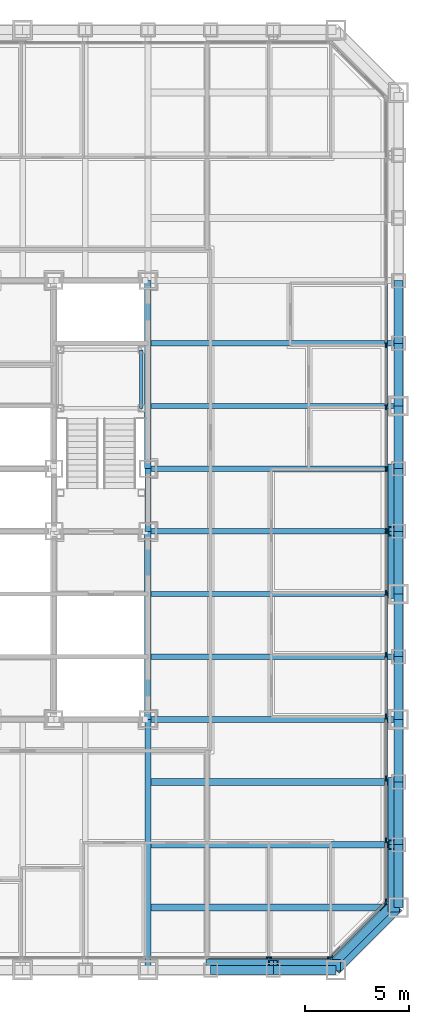
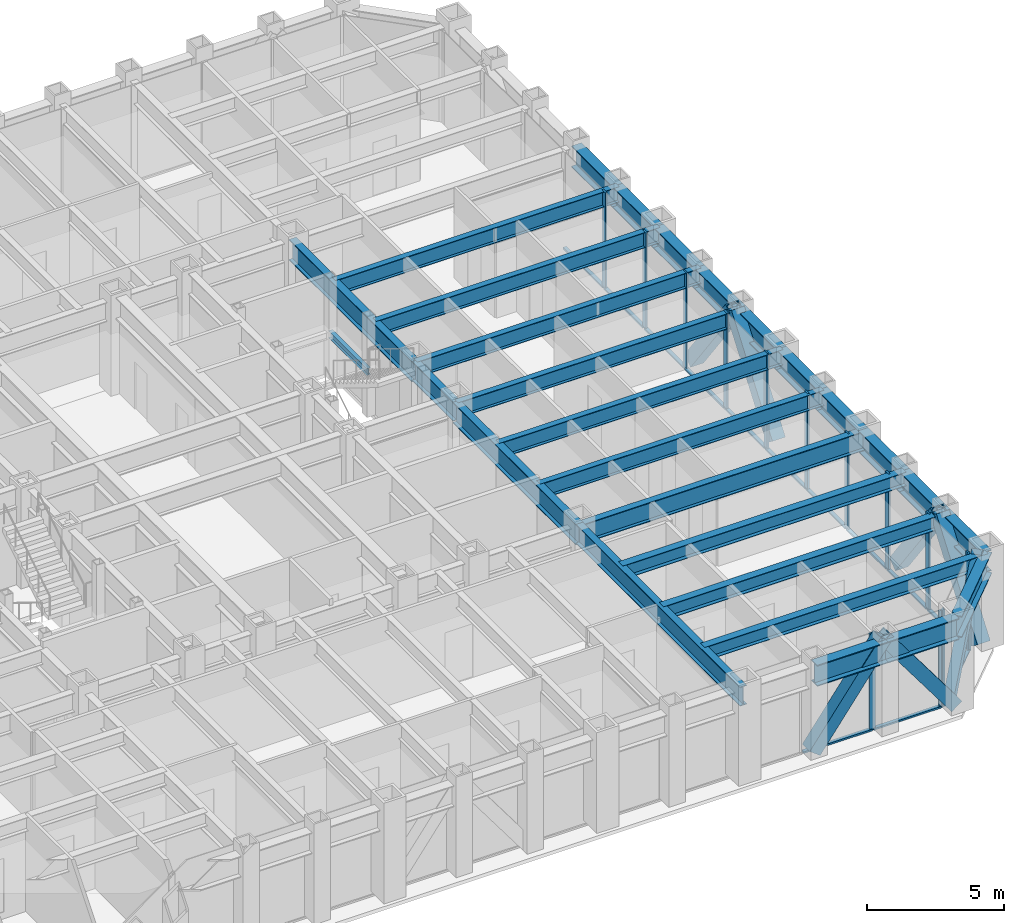
# One storey, part 4 of 16: 34 members, 28 beams, 3 elements without a shape of their own.
"""IFC4 building model written with IfcOpenShell, lengths in metres."""

from ifc_helpers import new_model, si_unit, direction, frame, origin, origin_2d, place, context, subcontext, project, spatial, rectangle, hollow_rectangle, i_section, extrude, material, layer, layer_set, material_profile, profile_set, type_object, element, aggregate, save


model = new_model("IFC4")

# Units and contexts
model_context = context("Model", 3, precision=1e-05, world=origin(), true_north=direction((0.0, 1.0)))
body_context = subcontext(model_context, "Body", "Model", "MODEL_VIEW")
ifc_project = project(units=[si_unit("LENGTHUNIT", "METRE"), si_unit("AREAUNIT", "SQUARE_METRE"), si_unit("VOLUMEUNIT", "CUBIC_METRE"), si_unit("PLANEANGLEUNIT", "RADIAN"), si_unit("MASSUNIT", "GRAM", prefix="KILO")], contexts=[model_context])

# Site, building, storey
site_placement = place(None, origin())
site = spatial("IfcSite", under=ifc_project, at=site_placement, CompositionType="ELEMENT")
building_placement = place(site_placement, origin())
building = spatial("IfcBuilding", under=site, at=building_placement, Name="Chuquiago Exchange Tower", CompositionType="ELEMENT")
storey_placement = place(building_placement, frame((0.0, 0.0, 73.800048828125)))
storey = spatial("IfcBuildingStorey", under=building, at=storey_placement, Name="L15", CompositionType="ELEMENT", Elevation=73.800048828125)

# Beams
ifc_material_1 = material(Name="Steel ASTM A992", Category="steel")
ifc_material_profile_1 = material_profile(ifc_material_1, i_section(OverallWidth=0.307373046875, OverallDepth=0.927001953125, WebThickness=0.01953125, FlangeThickness=0.031982421875, at=origin_2d()), Name="W36X194")
ifc_profile_set_1 = profile_set([ifc_material_profile_1], Name="Steel ASTM A992")
beam_type_1 = type_object("IfcBeamType", Name="B10 W36X194", PredefinedType="BEAM", material=ifc_profile_set_1)
for number, where, z_axis, x_axis, name in (
    (1, (33.0, 12.0, 3.576416015625), (0.0, 1.0, 0.0), (-1.0, 0.0, 0.0), "CB-L16-33_12-33_21"),
    (2, (33.0, 24.0, 3.576416015625), (0.0, 1.0, 0.0), (-1.0, 0.0, 0.0), "CB-L16-33_24-33_33"),
):
    element("IfcBeam", number, at=place(storey_placement, frame(where, z_axis=z_axis, x_axis=x_axis)), inside=storey, type_object=beam_type_1, Name=name, PredefinedType="BEAM", context=body_context, shape_type="SweptSolid", body=[
        extrude(i_section(OverallWidth=0.307373046875, OverallDepth=0.927001953125, WebThickness=0.01953125, FlangeThickness=0.031982421875, at=origin_2d()), origin(), (0.0, 0.0, 1.0), 9.0),
    ])
ifc_material_2 = material(Name="Steel ASTM A992", Category="steel")
ifc_material_profile_2 = material_profile(ifc_material_2, i_section(OverallWidth=0.2919921875, OverallDepth=0.8583984375, WebThickness=0.01708984375, FlangeThickness=0.031005859375, at=origin_2d()), Name="W33X169")
ifc_profile_set_2 = profile_set([ifc_material_profile_2], Name="Steel ASTM A992")
beam_type_2 = type_object("IfcBeamType", Name="B3 W33X169", PredefinedType="BEAM", material=ifc_profile_set_2)
beam_1_placement = place(storey_placement, frame((33.0, 21.0, 3.610595703125), z_axis=(0.0, 1.0, 0.0), x_axis=(-1.0, 0.0, 0.0)))
element("IfcBeam", 3, at=beam_1_placement, inside=storey, type_object=beam_type_2, Name="CB-L16-33_21-33_24", PredefinedType="BEAM", context=body_context, shape_type="SweptSolid", body=[
    extrude(i_section(OverallWidth=0.2919921875, OverallDepth=0.8583984375, WebThickness=0.01708984375, FlangeThickness=0.031005859375, at=origin_2d()), origin(), (0.0, 0.0, 1.0), 3.0),
])
ifc_material_3 = material(Name="Steel ASTM A992", Category="steel")
ifc_material_profile_3 = material_profile(ifc_material_3, i_section(OverallWidth=0.256591796875, OverallDepth=0.693359375, WebThickness=0.014404296875, FlangeThickness=0.023681640625, at=origin_2d()), Name="W27X114")
ifc_profile_set_3 = profile_set([ifc_material_profile_3], Name="Steel ASTM A992")
beam_type_3 = type_object("IfcBeamType", Name="B4 W27X114", PredefinedType="BEAM", material=ifc_profile_set_3)
for number, where, z_axis, x_axis, name in (
    (4, (33.0, 15.0, 3.693359375), (1.0, 0.0, 0.0), (0.0, 1.0, 0.0), "FB-L16-infill-33_15-45_15-0"),
    (5, (33.0, 18.0, 3.693359375), (1.0, 0.0, 0.0), (0.0, 1.0, 0.0), "FB-L16-infill-33_18-45_18-0"),
    (6, (33.0, 21.0, 3.693359375), (1.0, 0.0, 0.0), (0.0, 1.0, 0.0), "FB-L16-infill-33_21-45_21-0"),
    (7, (33.0, 24.0, 3.693359375), (1.0, 0.0, 0.0), (0.0, 1.0, 0.0), "FB-L16-infill-33_24-45_24-0"),
    (8, (33.0, 27.0, 3.693359375), (1.0, 0.0, 0.0), (0.0, 1.0, 0.0), "FB-L16-infill-33_27-45_27-0"),
    (9, (33.0, 30.0, 3.693359375), (1.0, 0.0, 0.0), (0.0, 1.0, 0.0), "FB-L16-infill-33_30-45_30-0"),
):
    element("IfcBeam", number, at=place(storey_placement, frame(where, z_axis=z_axis, x_axis=x_axis)), inside=storey, type_object=beam_type_3, Name=name, PredefinedType="BEAM", context=body_context, shape_type="SweptSolid", body=[
        extrude(i_section(OverallWidth=0.256591796875, OverallDepth=0.693359375, WebThickness=0.014404296875, FlangeThickness=0.023681640625, at=origin_2d()), origin(), (0.0, 0.0, 1.0), 12.0),
    ])
ifc_material_4 = material(Name="Steel ASTM A992", Category="steel")
ifc_material_profile_4 = material_profile(ifc_material_4, i_section(OverallWidth=0.3251953125, OverallDepth=0.6171875, WebThickness=0.013916015625, FlangeThickness=0.021484375, at=origin_2d()), Name="W24X117")
ifc_profile_set_4 = profile_set([ifc_material_profile_4], Name="Steel ASTM A992")
beam_type_4 = type_object("IfcBeamType", Name="B5 W24X117", PredefinedType="BEAM", material=ifc_profile_set_4)
for number, where, z_axis, x_axis, name in (
    (10, (33.0, 3.0, 3.7314453125), (1.0, 0.0, 0.0), (0.0, 1.0, 0.0), "FB-L16-corner-33_3-45_3-0"),
    (11, (33.0, 6.0, 3.7314453125), (1.0, 0.0, 0.0), (0.0, 1.0, 0.0), "FB-L16-corner-33_6-45_6-0"),
    (12, (33.0, 9.0, 3.7314453125), (1.0, 0.0, 0.0), (0.0, 1.0, 0.0), "FB-L16-corner-33_9-45_9-0"),
):
    element("IfcBeam", number, at=place(storey_placement, frame(where, z_axis=z_axis, x_axis=x_axis)), inside=storey, type_object=beam_type_4, Name=name, PredefinedType="BEAM", context=body_context, shape_type="SweptSolid", body=[
        extrude(i_section(OverallWidth=0.3251953125, OverallDepth=0.6171875, WebThickness=0.013916015625, FlangeThickness=0.021484375, at=origin_2d()), origin(), (0.0, 0.0, 1.0), 12.0),
    ])

# Curtain wall, members
ifc_material_5 = material(Name="Aluminium curtain wall system", Category="aluminium")
ifc_layer_1 = layer(ifc_material_5, 0.25)
ifc_layer_set_1 = layer_set([ifc_layer_1], Name="CW1 trading floor curtain wall")
curtain_wall_type_1 = type_object("IfcCurtainWallType", Name="CW1 trading floor curtain wall", PredefinedType="NOTDEFINED", material=ifc_layer_set_1)
curtain_wall_1_placement = place(storey_placement, origin())
curtain_wall_1 = element("IfcCurtainWall", 13, at=curtain_wall_1_placement, inside=storey, type_object=curtain_wall_type_1, Name="CW1 curtain wall L15", PredefinedType="NOTDEFINED")
ifc_material_6 = material(Name="Aluminium mullion, pale anodised", Category="aluminium")
ifc_material_profile_5 = material_profile(ifc_material_6, rectangle(XDim=0.074951171875, YDim=0.25, at=origin_2d()), Name="AL 75x250")
ifc_profile_set_5 = profile_set([ifc_material_profile_5], Name="Aluminium mullion, pale anodised")
member_type_1 = type_object("IfcMemberType", Name="CW1-M mullion 75x250", PredefinedType="MULLION", material=ifc_profile_set_5)
member_1_placement = place(storey_placement, frame((38.789794921875, 0.60009765625, -0.300048828125), z_axis=(0.0, 0.0, 1.0), x_axis=(0.0, 1.0, 0.0)))
member_1 = element("IfcMember", 14, at=member_1_placement, type_object=member_type_1, Name="CW1 mullion 13", PredefinedType="MULLION", context=body_context, shape_type="SweptSolid", body=[
    extrude(rectangle(XDim=0.074951171875, YDim=0.25, at=origin_2d()), origin(), (0.0, 0.0, 1.0), 4.340087890625),
])
member_2_placement = place(storey_placement, frame((41.714111328125, 0.60009765625, -0.300048828125), z_axis=(0.0, 0.0, 1.0), x_axis=(0.0, 1.0, 0.0)))
member_2 = element("IfcMember", 15, at=member_2_placement, type_object=member_type_1, Name="CW1 mullion 14", PredefinedType="MULLION", context=body_context, shape_type="SweptSolid", body=[
    extrude(rectangle(XDim=0.074951171875, YDim=0.25, at=origin_2d()), origin(), (0.0, 0.0, 1.0), 4.340087890625),
])

curtain_wall_2_placement = place(storey_placement, origin())
curtain_wall_2 = element("IfcCurtainWall", 16, at=curtain_wall_2_placement, inside=storey, type_object=curtain_wall_type_1, Name="CW1 curtain wall L15", PredefinedType="NOTDEFINED")
member_3_placement = place(storey_placement, frame((44.39990234375, 3.285888671875, -0.300048828125), z_axis=(0.0, 0.0, 1.0), x_axis=(-1.0, 0.0, 0.0)))
member_3 = element("IfcMember", 17, at=member_3_placement, type_object=member_type_1, Name="CW1 mullion 1", PredefinedType="MULLION", context=body_context, shape_type="SweptSolid", body=[
    extrude(rectangle(XDim=0.074951171875, YDim=0.25, at=origin_2d()), origin(), (0.0, 0.0, 1.0), 4.340087890625),
])
member_4_placement = place(storey_placement, frame((44.39990234375, 6.210205078125, -0.300048828125), z_axis=(0.0, 0.0, 1.0), x_axis=(-1.0, 0.0, 0.0)))
member_4 = element("IfcMember", 18, at=member_4_placement, type_object=member_type_1, Name="CW1 mullion 2", PredefinedType="MULLION", context=body_context, shape_type="SweptSolid", body=[
    extrude(rectangle(XDim=0.074951171875, YDim=0.25, at=origin_2d()), origin(), (0.0, 0.0, 1.0), 4.340087890625),
])
member_5_placement = place(storey_placement, frame((44.39990234375, 9.172119140625, -0.300048828125), z_axis=(0.0, 0.0, 1.0), x_axis=(-1.0, 0.0, 0.0)))
member_5 = element("IfcMember", 19, at=member_5_placement, type_object=member_type_1, Name="CW1 mullion 3", PredefinedType="MULLION", context=body_context, shape_type="SweptSolid", body=[
    extrude(rectangle(XDim=0.074951171875, YDim=0.25, at=origin_2d()), origin(), (0.0, 0.0, 1.0), 4.340087890625),
])
member_6_placement = place(storey_placement, frame((44.39990234375, 12.1337890625, -0.300048828125), z_axis=(0.0, 0.0, 1.0), x_axis=(-1.0, 0.0, 0.0)))
member_6 = element("IfcMember", 20, at=member_6_placement, type_object=member_type_1, Name="CW1 mullion 4", PredefinedType="MULLION", context=body_context, shape_type="SweptSolid", body=[
    extrude(rectangle(XDim=0.074951171875, YDim=0.25, at=origin_2d()), origin(), (0.0, 0.0, 1.0), 4.340087890625),
])
member_7_placement = place(storey_placement, frame((44.39990234375, 15.095458984375, -0.300048828125), z_axis=(0.0, 0.0, 1.0), x_axis=(-1.0, 0.0, 0.0)))
member_7 = element("IfcMember", 21, at=member_7_placement, type_object=member_type_1, Name="CW1 mullion 5", PredefinedType="MULLION", context=body_context, shape_type="SweptSolid", body=[
    extrude(rectangle(XDim=0.074951171875, YDim=0.25, at=origin_2d()), origin(), (0.0, 0.0, 1.0), 4.340087890625),
])
member_8_placement = place(storey_placement, frame((44.39990234375, 18.057373046875, -0.300048828125), z_axis=(0.0, 0.0, 1.0), x_axis=(-1.0, 0.0, 0.0)))
member_8 = element("IfcMember", 22, at=member_8_placement, type_object=member_type_1, Name="CW1 mullion 6", PredefinedType="MULLION", context=body_context, shape_type="SweptSolid", body=[
    extrude(rectangle(XDim=0.074951171875, YDim=0.25, at=origin_2d()), origin(), (0.0, 0.0, 1.0), 4.340087890625),
])
member_9_placement = place(storey_placement, frame((44.39990234375, 21.01904296875, -0.300048828125), z_axis=(0.0, 0.0, 1.0), x_axis=(-1.0, 0.0, 0.0)))
member_9 = element("IfcMember", 23, at=member_9_placement, type_object=member_type_1, Name="CW1 mullion 7", PredefinedType="MULLION", context=body_context, shape_type="SweptSolid", body=[
    extrude(rectangle(XDim=0.074951171875, YDim=0.25, at=origin_2d()), origin(), (0.0, 0.0, 1.0), 4.340087890625),
])
member_10_placement = place(storey_placement, frame((44.39990234375, 23.98095703125, -0.300048828125), z_axis=(0.0, 0.0, 1.0), x_axis=(-1.0, 0.0, 0.0)))
member_10 = element("IfcMember", 24, at=member_10_placement, type_object=member_type_1, Name="CW1 mullion 8", PredefinedType="MULLION", context=body_context, shape_type="SweptSolid", body=[
    extrude(rectangle(XDim=0.074951171875, YDim=0.25, at=origin_2d()), origin(), (0.0, 0.0, 1.0), 4.340087890625),
])
member_11_placement = place(storey_placement, frame((44.39990234375, 26.942626953125, -0.300048828125), z_axis=(0.0, 0.0, 1.0), x_axis=(-1.0, 0.0, 0.0)))
member_11 = element("IfcMember", 25, at=member_11_placement, type_object=member_type_1, Name="CW1 mullion 9", PredefinedType="MULLION", context=body_context, shape_type="SweptSolid", body=[
    extrude(rectangle(XDim=0.074951171875, YDim=0.25, at=origin_2d()), origin(), (0.0, 0.0, 1.0), 4.340087890625),
])
member_12_placement = place(storey_placement, frame((44.39990234375, 29.904541015625, -0.300048828125), z_axis=(0.0, 0.0, 1.0), x_axis=(-1.0, 0.0, 0.0)))
member_12 = element("IfcMember", 26, at=member_12_placement, type_object=member_type_1, Name="CW1 mullion 10", PredefinedType="MULLION", context=body_context, shape_type="SweptSolid", body=[
    extrude(rectangle(XDim=0.074951171875, YDim=0.25, at=origin_2d()), origin(), (0.0, 0.0, 1.0), 4.340087890625),
])

# Member
ifc_material_7 = material(Name="Aluminium transom, pale anodised", Category="aluminium")
ifc_material_profile_6 = material_profile(ifc_material_7, rectangle(XDim=0.14990234375, YDim=0.074951171875, at=origin_2d()), Name="AL 150x75")
ifc_profile_set_6 = profile_set([ifc_material_profile_6], Name="Aluminium transom, pale anodised")
member_type_2 = type_object("IfcMemberType", Name="CW1-T transom 75x150", PredefinedType="MULLION", material=ifc_profile_set_6)
member_13_placement = place(storey_placement, frame((35.865478515625, 0.60009765625, -0.262451171875), z_axis=(1.0, 0.0, 0.0), x_axis=(0.0, 1.0, 0.0)))
member_13 = element("IfcMember", 27, at=member_13_placement, type_object=member_type_2, Name="CW1 transom 12.1", PredefinedType="MULLION", context=body_context, shape_type="SweptSolid", body=[
    extrude(rectangle(XDim=0.14990234375, YDim=0.074951171875, at=origin_2d()), origin(), (0.0, 0.0, 1.0), 2.88671875),
])

member_14_placement = place(storey_placement, frame((38.8271484375, 0.60009765625, -0.262451171875), z_axis=(1.0, 0.0, 0.0), x_axis=(0.0, 1.0, 0.0)))
member_14 = element("IfcMember", 28, at=member_14_placement, type_object=member_type_2, Name="CW1 transom 13.1", PredefinedType="MULLION", context=body_context, shape_type="SweptSolid", body=[
    extrude(rectangle(XDim=0.14990234375, YDim=0.074951171875, at=origin_2d()), origin(), (0.0, 0.0, 1.0), 2.849365234375),
])

aggregate(curtain_wall_1, [member_1, member_2, member_13, member_14])

member_15_placement = place(storey_placement, frame((44.39990234375, 3.323486328125, -0.262451171875), z_axis=(0.0, 1.0, 0.0), x_axis=(-1.0, 0.0, 0.0)))
member_15 = element("IfcMember", 29, at=member_15_placement, type_object=member_type_2, Name="CW1 transom 1.1", PredefinedType="MULLION", context=body_context, shape_type="SweptSolid", body=[
    extrude(rectangle(XDim=0.14990234375, YDim=0.074951171875, at=origin_2d()), origin(), (0.0, 0.0, 1.0), 2.849365234375),
])

member_16_placement = place(storey_placement, frame((44.39990234375, 6.247802734375, -0.262451171875), z_axis=(0.0, 1.0, 0.0), x_axis=(-1.0, 0.0, 0.0)))
member_16 = element("IfcMember", 30, at=member_16_placement, type_object=member_type_2, Name="CW1 transom 2.1", PredefinedType="MULLION", context=body_context, shape_type="SweptSolid", body=[
    extrude(rectangle(XDim=0.14990234375, YDim=0.074951171875, at=origin_2d()), origin(), (0.0, 0.0, 1.0), 2.88671875),
])

member_17_placement = place(storey_placement, frame((44.39990234375, 9.20947265625, -0.262451171875), z_axis=(0.0, 1.0, 0.0), x_axis=(-1.0, 0.0, 0.0)))
member_17 = element("IfcMember", 31, at=member_17_placement, type_object=member_type_2, Name="CW1 transom 3.1", PredefinedType="MULLION", context=body_context, shape_type="SweptSolid", body=[
    extrude(rectangle(XDim=0.14990234375, YDim=0.074951171875, at=origin_2d()), origin(), (0.0, 0.0, 1.0), 2.88671875),
])

member_18_placement = place(storey_placement, frame((44.39990234375, 12.17138671875, -0.262451171875), z_axis=(0.0, 1.0, 0.0), x_axis=(-1.0, 0.0, 0.0)))
member_18 = element("IfcMember", 32, at=member_18_placement, type_object=member_type_2, Name="CW1 transom 4.1", PredefinedType="MULLION", context=body_context, shape_type="SweptSolid", body=[
    extrude(rectangle(XDim=0.14990234375, YDim=0.074951171875, at=origin_2d()), origin(), (0.0, 0.0, 1.0), 2.88671875),
])

member_19_placement = place(storey_placement, frame((44.39990234375, 15.133056640625, -0.262451171875), z_axis=(0.0, 1.0, 0.0), x_axis=(-1.0, 0.0, 0.0)))
member_19 = element("IfcMember", 33, at=member_19_placement, type_object=member_type_2, Name="CW1 transom 5.1", PredefinedType="MULLION", context=body_context, shape_type="SweptSolid", body=[
    extrude(rectangle(XDim=0.14990234375, YDim=0.074951171875, at=origin_2d()), origin(), (0.0, 0.0, 1.0), 2.88671875),
])

member_20_placement = place(storey_placement, frame((44.39990234375, 18.0947265625, -0.262451171875), z_axis=(0.0, 1.0, 0.0), x_axis=(-1.0, 0.0, 0.0)))
member_20 = element("IfcMember", 34, at=member_20_placement, type_object=member_type_2, Name="CW1 transom 6.1", PredefinedType="MULLION", context=body_context, shape_type="SweptSolid", body=[
    extrude(rectangle(XDim=0.14990234375, YDim=0.074951171875, at=origin_2d()), origin(), (0.0, 0.0, 1.0), 2.886962890625),
])

member_21_placement = place(storey_placement, frame((44.39990234375, 21.056640625, -0.262451171875), z_axis=(0.0, 1.0, 0.0), x_axis=(-1.0, 0.0, 0.0)))
member_21 = element("IfcMember", 35, at=member_21_placement, type_object=member_type_2, Name="CW1 transom 7.1", PredefinedType="MULLION", context=body_context, shape_type="SweptSolid", body=[
    extrude(rectangle(XDim=0.14990234375, YDim=0.074951171875, at=origin_2d()), origin(), (0.0, 0.0, 1.0), 2.88671875),
])

member_22_placement = place(storey_placement, frame((44.39990234375, 24.018310546875, -0.262451171875), z_axis=(0.0, 1.0, 0.0), x_axis=(-1.0, 0.0, 0.0)))
member_22 = element("IfcMember", 36, at=member_22_placement, type_object=member_type_2, Name="CW1 transom 8.1", PredefinedType="MULLION", context=body_context, shape_type="SweptSolid", body=[
    extrude(rectangle(XDim=0.14990234375, YDim=0.074951171875, at=origin_2d()), origin(), (0.0, 0.0, 1.0), 2.886962890625),
])

member_23_placement = place(storey_placement, frame((44.39990234375, 26.980224609375, -0.262451171875), z_axis=(0.0, 1.0, 0.0), x_axis=(-1.0, 0.0, 0.0)))
member_23 = element("IfcMember", 37, at=member_23_placement, type_object=member_type_2, Name="CW1 transom 9.1", PredefinedType="MULLION", context=body_context, shape_type="SweptSolid", body=[
    extrude(rectangle(XDim=0.14990234375, YDim=0.074951171875, at=origin_2d()), origin(), (0.0, 0.0, 1.0), 2.88671875),
])

member_24_placement = place(storey_placement, frame((44.39990234375, 29.94189453125, -0.262451171875), z_axis=(0.0, 1.0, 0.0), x_axis=(-1.0, 0.0, 0.0)))
member_24 = element("IfcMember", 38, at=member_24_placement, type_object=member_type_2, Name="CW1 transom 10.1", PredefinedType="MULLION", context=body_context, shape_type="SweptSolid", body=[
    extrude(rectangle(XDim=0.14990234375, YDim=0.074951171875, at=origin_2d()), origin(), (0.0, 0.0, 1.0), 2.88671875),
])

aggregate(curtain_wall_2, [member_3, member_4, member_5, member_6, member_7, member_8, member_9, member_10, member_11, member_12, member_15, member_16, member_17, member_18, member_19, member_20, member_21, member_22, member_23, member_24])

# Curtain wall, members
ifc_material_8 = material(Name="Aluminium curtain wall system", Category="aluminium")
ifc_layer_2 = layer(ifc_material_8, 0.199951171875)
ifc_layer_set_2 = layer_set([ifc_layer_2], Name="CW3 facet curtain wall")
curtain_wall_type_2 = type_object("IfcCurtainWallType", Name="CW3 facet curtain wall", PredefinedType="NOTDEFINED", material=ifc_layer_set_2)
curtain_wall_3_placement = place(storey_placement, origin())
curtain_wall_3 = element("IfcCurtainWall", 39, at=curtain_wall_3_placement, inside=storey, type_object=curtain_wall_type_2, Name="CW3 curtain wall L15", PredefinedType="NOTDEFINED")
ifc_material_9 = material(Name="Aluminium mullion, pale anodised", Category="aluminium")
ifc_material_profile_7 = material_profile(ifc_material_9, rectangle(XDim=0.06494140625, YDim=0.199951171875, at=origin_2d()), Name="AL 65x200")
ifc_profile_set_7 = profile_set([ifc_material_profile_7], Name="Aluminium mullion, pale anodised")
member_type_3 = type_object("IfcMemberType", Name="CW3-M mullion 65x200", PredefinedType="MULLION", material=ifc_profile_set_7)
member_25_placement = place(storey_placement, frame((41.7744140625, 0.623046875, -0.300048828125), z_axis=(0.0, 0.0, 1.0), x_axis=(-0.707106781187, 0.707106781187, 0.0)))
member_25 = element("IfcMember", 40, at=member_25_placement, type_object=member_type_3, Name="CW3 mullion 1", PredefinedType="MULLION", context=body_context, shape_type="SweptSolid", body=[
    extrude(rectangle(XDim=0.06494140625, YDim=0.199951171875, at=origin_2d()), origin(), (0.0, 0.0, 1.0), 4.340087890625),
])
member_26_placement = place(storey_placement, frame((44.376953125, 3.2255859375, -0.300048828125), z_axis=(0.0, 0.0, 1.0), x_axis=(-0.707106781187, 0.707106781187, 0.0)))
member_26 = element("IfcMember", 41, at=member_26_placement, type_object=member_type_3, Name="CW3 mullion 2", PredefinedType="MULLION", context=body_context, shape_type="SweptSolid", body=[
    extrude(rectangle(XDim=0.06494140625, YDim=0.199951171875, at=origin_2d()), origin(), (0.0, 0.0, 1.0), 4.340087890625),
])
ifc_material_10 = material(Name="Aluminium transom, pale anodised", Category="aluminium")
ifc_material_profile_8 = material_profile(ifc_material_10, rectangle(XDim=0.139892578125, YDim=0.06494140625, at=origin_2d()), Name="AL 140x65")
ifc_profile_set_8 = profile_set([ifc_material_profile_8], Name="Aluminium transom, pale anodised")
member_type_4 = type_object("IfcMemberType", Name="CW3-T transom 65x140", PredefinedType="MULLION", material=ifc_profile_set_8)
member_27_placement = place(storey_placement, frame((41.79736328125, 0.64599609375, -0.267578125), z_axis=(0.707106781187, 0.707106781187, 0.0), x_axis=(-0.707106781187, 0.707106781187, 0.0)))
member_27 = element("IfcMember", 42, at=member_27_placement, type_object=member_type_4, Name="CW3 transom 1.1", PredefinedType="MULLION", context=body_context, shape_type="SweptSolid", body=[
    extrude(rectangle(XDim=0.139892578125, YDim=0.06494140625, at=origin_2d()), origin(), (0.0, 0.0, 1.0), 3.61572265625),
])
aggregate(curtain_wall_3, [member_25, member_26, member_27])

# Beams
ifc_material_11 = material(Name="Steel ASTM A992", Category="steel")
ifc_material_profile_9 = material_profile(ifc_material_11, i_section(OverallWidth=0.2919921875, OverallDepth=0.8583984375, WebThickness=0.01708984375, FlangeThickness=0.031005859375, at=origin_2d()), Name="W33X169")
ifc_profile_set_9 = profile_set([ifc_material_profile_9], Name="Steel ASTM A992")
beam_type_5 = type_object("IfcBeamType", Name="G2 W33X169", PredefinedType="BEAM", material=ifc_profile_set_9)
for number, where, z_axis, x_axis, name in (
    (43, (33.0, 12.0, 3.610595703125), (0.0, -1.0, 0.0), (1.0, 0.0, 0.0), "FB-L16-girder-33_12-33_-0-0"),
    (44, (33.0, 12.0, 3.610595703125), (1.0, 0.0, 0.0), (0.0, 1.0, 0.0), "FB-L16-girder-33_12-45_12-0"),
):
    element("IfcBeam", number, at=place(storey_placement, frame(where, z_axis=z_axis, x_axis=x_axis)), inside=storey, type_object=beam_type_5, Name=name, PredefinedType="BEAM", context=body_context, shape_type="SweptSolid", body=[
        extrude(i_section(OverallWidth=0.2919921875, OverallDepth=0.8583984375, WebThickness=0.01708984375, FlangeThickness=0.031005859375, at=origin_2d()), origin(), (0.0, 0.0, 1.0), 12.0),
    ])

# Member
ifc_material_12 = material(Name="Steel ASTM A500 Grade C", Category="steel")
ifc_material_profile_10 = material_profile(ifc_material_12, hollow_rectangle(XDim=0.406494140625, YDim=0.406494140625, WallThickness=0.0146484375, at=origin_2d()), Name="HSS16X16X5/8")
ifc_profile_set_10 = profile_set([ifc_material_profile_10], Name="Steel ASTM A500 Grade C")
member_type_5 = type_object("IfcMemberType", Name="LB4 HSS16X16X5/8", PredefinedType="BRACE", material=ifc_profile_set_10)
member_28_placement = place(storey_placement, frame((41.78662109375, 0.21337890625, 0.0), z_axis=(0.512077265487, 0.512077265487, 0.689604051861), x_axis=(-0.707106781187, 0.707106781187, 0.0)))
element("IfcMember", 45, at=member_28_placement, inside=storey, type_object=member_type_5, Name="LB-L15-42_0-45_3", PredefinedType="BRACE", context=body_context, shape_type="SweptSolid", body=[
    extrude(hollow_rectangle(XDim=0.406494140625, YDim=0.406494140625, WallThickness=0.0146484375, at=origin_2d()), origin(), (0.0, 0.0, 1.0), 5.8583984375),
])

# Beam
ifc_material_13 = material(Name="Steel ASTM A992", Category="steel")
ifc_material_profile_11 = material_profile(ifc_material_13, i_section(OverallWidth=0.164794921875, OverallDepth=0.309814453125, WebThickness=0.005859375, FlangeThickness=0.009765625, at=origin_2d()), Name="W12X26")
ifc_profile_set_11 = profile_set([ifc_material_profile_11], Name="Steel ASTM A992")
beam_type_6 = type_object("IfcBeamType", Name="LS1 W12X26", PredefinedType="BEAM", material=ifc_profile_set_11)
beam_2_placement = place(storey_placement, frame((32.68994140625, 26.889892578125, 1.89501953125), z_axis=(0.0, 1.0, 0.0), x_axis=(-1.0, 0.0, 0.0)))
element("IfcBeam", 46, at=beam_2_placement, inside=storey, type_object=beam_type_6, Name="Stair ST2 L15 landing 1 stringer", PredefinedType="BEAM", context=body_context, shape_type="SweptSolid", body=[
    extrude(i_section(OverallWidth=0.164794921875, OverallDepth=0.309814453125, WebThickness=0.005859375, FlangeThickness=0.009765625, at=origin_2d()), origin(), (0.0, 0.0, 1.0), 2.800048828125),
])

# Members
ifc_material_14 = material(Name="Steel ASTM A572 Grade 50", Category="steel")
ifc_material_profile_12 = material_profile(ifc_material_14, hollow_rectangle(XDim=0.550048828125, YDim=0.550048828125, WallThickness=0.044921875, at=origin_2d()), Name="BOX550X550X45")
ifc_profile_set_12 = profile_set([ifc_material_profile_12], Name="Steel ASTM A572 Grade 50")
member_type_6 = type_object("IfcMemberType", Name="MB1 BOX550X550X45", PredefinedType="BRACE", material=ifc_profile_set_12)
for number, where, z_axis, x_axis, name in (
    (47, (36.0, 0.22998046875, 0.0), (0.596173923302, 0.0, 0.802855312728), (0.0, 1.0, 0.0), "Mega diagonal L15 S face"),
    (48, (42.0, 0.22998046875, 0.0), (-0.596173923302, 0.0, 0.802855312728), (0.0, -1.0, 0.0), "Mega diagonal L15 S face"),
    (49, (44.77001953125, 3.0, 0.0), (0.0, 0.596173923302, 0.802855312728), (-1.0, 0.0, 0.0), "Mega diagonal L15 E face"),
    (50, (44.77001953125, 9.0, 0.0), (0.0, -0.596173923302, 0.802855312728), (1.0, 0.0, 0.0), "Mega diagonal L15 E face"),
    (51, (44.77001953125, 18.0, 0.0), (0.0, 0.596173923302, 0.802855312728), (-1.0, 0.0, 0.0), "Mega diagonal L15 E face"),
    (52, (44.77001953125, 24.0, 0.0), (0.0, -0.596173923302, 0.802855312728), (1.0, 0.0, 0.0), "Mega diagonal L15 E face"),
):
    element("IfcMember", number, at=place(storey_placement, frame(where, z_axis=z_axis, x_axis=x_axis)), inside=storey, type_object=member_type_6, Name=name, PredefinedType="BRACE", context=body_context, shape_type="SweptSolid", body=[
        extrude(hollow_rectangle(XDim=0.550048828125, YDim=0.550048828125, WallThickness=0.044921875, at=origin_2d()), origin(), (0.0, 0.0, 1.0), 5.031982421875),
    ])

# Beams
ifc_material_15 = material(Name="Steel ASTM A992", Category="steel")
ifc_material_profile_13 = material_profile(ifc_material_15, i_section(OverallWidth=0.424072265625, OverallDepth=0.947509765625, WebThickness=0.02392578125, FlangeThickness=0.042724609375, at=origin_2d()), Name="W36X302")
ifc_profile_set_13 = profile_set([ifc_material_profile_13], Name="Steel ASTM A992")
beam_type_7 = type_object("IfcBeamType", Name="SP1 W36X302", PredefinedType="SPANDREL", material=ifc_profile_set_13)
for number, where, z_axis, x_axis, name in (
    (53, (36.0, 0.0, 3.566162109375), (1.0, 0.0, 0.0), (0.0, 1.0, 0.0), "SPB-L16-36_0-39_0"),
    (54, (39.0, 0.0, 3.566162109375), (1.0, 0.0, 0.0), (0.0, 1.0, 0.0), "SPB-L16-39_0-42_0"),
):
    element("IfcBeam", number, at=place(storey_placement, frame(where, z_axis=z_axis, x_axis=x_axis)), inside=storey, type_object=beam_type_7, Name=name, PredefinedType="SPANDREL", context=body_context, shape_type="SweptSolid", body=[
        extrude(i_section(OverallWidth=0.424072265625, OverallDepth=0.947509765625, WebThickness=0.02392578125, FlangeThickness=0.042724609375, at=origin_2d()), origin(), (0.0, 0.0, 1.0), 3.0),
    ])
beam_3_placement = place(storey_placement, frame((42.0, 0.0, 3.566162109375), z_axis=(0.707106781187, 0.707106781187, 0.0), x_axis=(-0.707106781187, 0.707106781187, 0.0)))
element("IfcBeam", 55, at=beam_3_placement, inside=storey, type_object=beam_type_7, Name="SPB-L16-42_0-45_3", PredefinedType="SPANDREL", context=body_context, shape_type="SweptSolid", body=[
    extrude(i_section(OverallWidth=0.424072265625, OverallDepth=0.947509765625, WebThickness=0.02392578125, FlangeThickness=0.042724609375, at=origin_2d()), origin(), (0.0, 0.0, 1.0), 4.24267578125),
])
for number, where, z_axis, x_axis, name in (
    (56, (45.0, 3.0, 3.566162109375), (0.0, 1.0, 0.0), (-1.0, 0.0, 0.0), "SPB-L16-45_3-45_6"),
    (57, (45.0, 6.0, 3.566162109375), (0.0, 1.0, 0.0), (-1.0, 0.0, 0.0), "SPB-L16-45_6-45_9"),
    (58, (45.0, 9.0, 3.566162109375), (0.0, 1.0, 0.0), (-1.0, 0.0, 0.0), "SPB-L16-45_9-45_12"),
    (59, (45.0, 12.0, 3.566162109375), (0.0, 1.0, 0.0), (-1.0, 0.0, 0.0), "SPB-L16-45_12-45_15"),
    (60, (45.0, 15.0, 3.566162109375), (0.0, 1.0, 0.0), (-1.0, 0.0, 0.0), "SPB-L16-45_15-45_18"),
    (61, (45.0, 18.0, 3.566162109375), (0.0, 1.0, 0.0), (-1.0, 0.0, 0.0), "SPB-L16-45_18-45_21"),
    (62, (45.0, 21.0, 3.566162109375), (0.0, 1.0, 0.0), (-1.0, 0.0, 0.0), "SPB-L16-45_21-45_24"),
    (63, (45.0, 24.0, 3.566162109375), (0.0, 1.0, 0.0), (-1.0, 0.0, 0.0), "SPB-L16-45_24-45_27"),
    (64, (45.0, 27.0, 3.566162109375), (0.0, 1.0, 0.0), (-1.0, 0.0, 0.0), "SPB-L16-45_27-45_30"),
    (65, (45.0, 30.0, 3.566162109375), (0.0, 1.0, 0.0), (-1.0, 0.0, 0.0), "SPB-L16-45_30-45_33"),
):
    element("IfcBeam", number, at=place(storey_placement, frame(where, z_axis=z_axis, x_axis=x_axis)), inside=storey, type_object=beam_type_7, Name=name, PredefinedType="SPANDREL", context=body_context, shape_type="SweptSolid", body=[
        extrude(i_section(OverallWidth=0.424072265625, OverallDepth=0.947509765625, WebThickness=0.02392578125, FlangeThickness=0.042724609375, at=origin_2d()), origin(), (0.0, 0.0, 1.0), 3.0),
    ])

save(model, "model.ifc")
